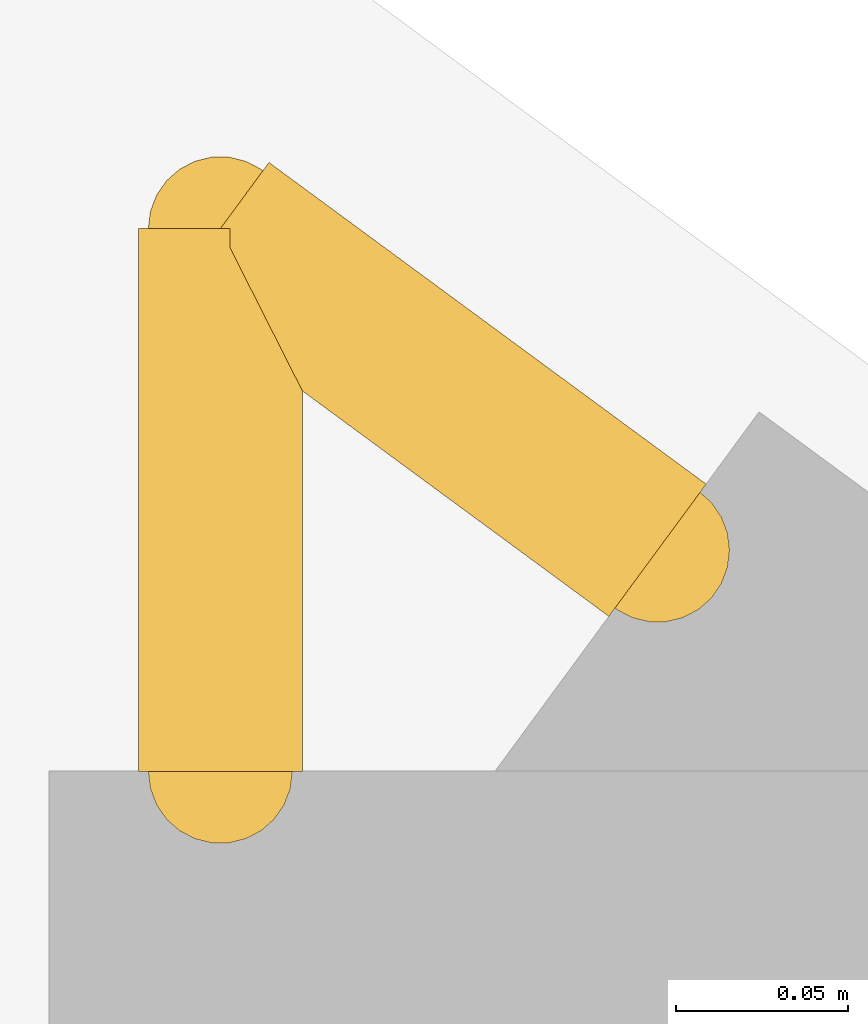
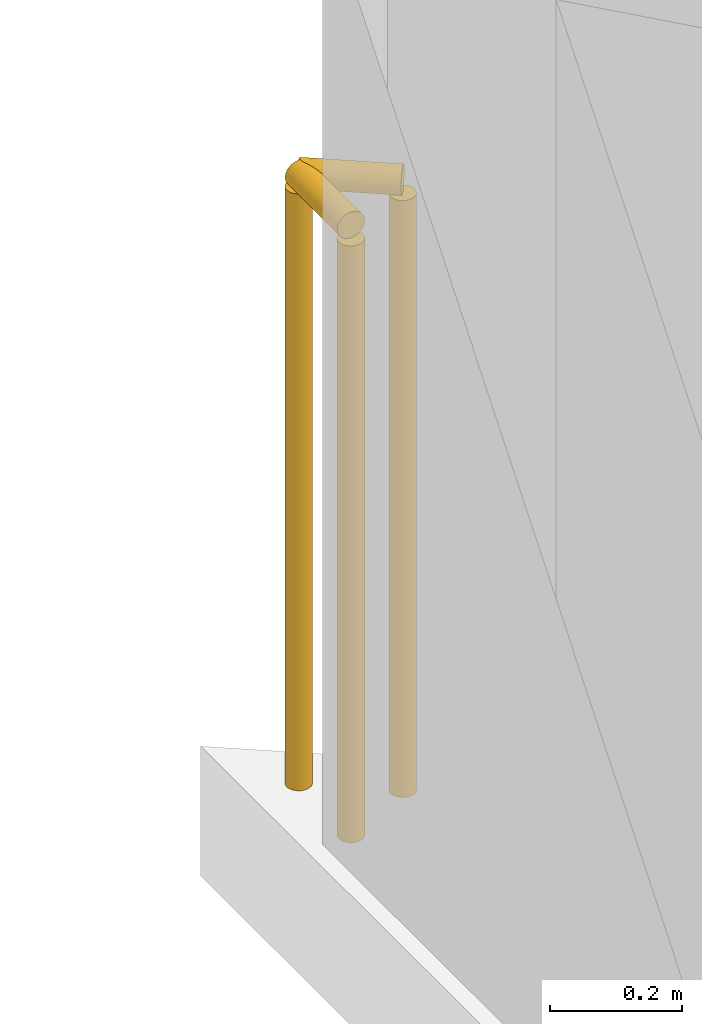
# One storey, part 16 of 16: 2 railings.
"""IFC4 building model written with IfcOpenShell, lengths in metres."""

from ifc_helpers import new_model, si_unit, direction, frame, origin, origin_2d, place, context, subcontext, project, spatial, circle, extrude, material, type_object, element, save


model = new_model("IFC4")

# Units and contexts
model_context = context("Model", 3, precision=1e-05, world=origin(), true_north=direction((0.0, 1.0)))
body_context = subcontext(model_context, "Body", "Model", "MODEL_VIEW")
ifc_project = project(units=[si_unit("LENGTHUNIT", "METRE"), si_unit("AREAUNIT", "SQUARE_METRE"), si_unit("VOLUMEUNIT", "CUBIC_METRE"), si_unit("PLANEANGLEUNIT", "RADIAN"), si_unit("MASSUNIT", "GRAM", prefix="KILO")], contexts=[model_context])

# Site, building, storey
site_placement = place(None, origin())
site = spatial("IfcSite", under=ifc_project, at=site_placement, CompositionType="ELEMENT")
building_placement = place(site_placement, origin())
building = spatial("IfcBuilding", under=site, at=building_placement, Name="Varnakote Quay Hospital", CompositionType="ELEMENT")
storey_placement = place(building_placement, frame((0.0, 0.0, 296.050048828125)))
storey = spatial("IfcBuildingStorey", under=building, at=storey_placement, Name="L73", CompositionType="ELEMENT", Elevation=296.050048828125)

# Railings
ifc_material = material(Name="Anodised aluminium 6063-T6 Bronze", Category="aluminium")
railing_type = type_object("IfcRailingType", Name="RLG-EXT-GUARD-1150", PredefinedType="GUARDRAIL", material=ifc_material)
railing_1_placement = place(storey_placement, frame((2.3798828125, 39.8837890625, 0.0)))
element("IfcRailing", 1, at=railing_1_placement, inside=storey, type_object=railing_type, Name="L73 Slab Edge Perimeter Safety Guard", PredefinedType="GUARDRAIL", context=body_context, shape_type="SweptSolid", body=[
    extrude(circle(Radius=0.02392578125, at=origin_2d()), frame((0.0, 0.0, 1.1259765625), z_axis=(0.0, 1.0, 0.0), x_axis=(-1.0, 0.0, 0.0)), (0.0, 0.0, 1.0), 0.158203125),
    extrude(circle(Radius=0.02099609375, at=origin_2d()), origin(), (0.0, 0.0, 1.0), 1.101806640625),
    extrude(circle(Radius=0.02099609375, at=origin_2d()), frame((0.0, 0.158203125, 0.0)), (0.0, 0.0, 1.0), 1.101806640625),
])
railing_2_placement = place(storey_placement, frame((2.3798828125, 40.0419921875, 0.0)))
element("IfcRailing", 2, at=railing_2_placement, inside=storey, type_object=railing_type, Name="L73 Slab Edge Perimeter Safety Guard", PredefinedType="GUARDRAIL", context=body_context, shape_type="SweptSolid", body=[
    extrude(circle(Radius=0.02392578125, at=origin_2d()), frame((0.0, 0.0, 1.1259765625), z_axis=(0.805521026073, -0.592567191594, 0.0), x_axis=(0.592567191594, 0.805521026073, 0.0)), (0.0, 0.0, 1.0), 0.158203125),
    extrude(circle(Radius=0.02099609375, at=origin_2d()), origin(), (0.0, 0.0, 1.0), 1.101806640625),
    extrude(circle(Radius=0.02099609375, at=origin_2d()), frame((0.12744140625, -0.09375, 0.0)), (0.0, 0.0, 1.0), 1.101806640625),
])

save(model, "model.ifc")
